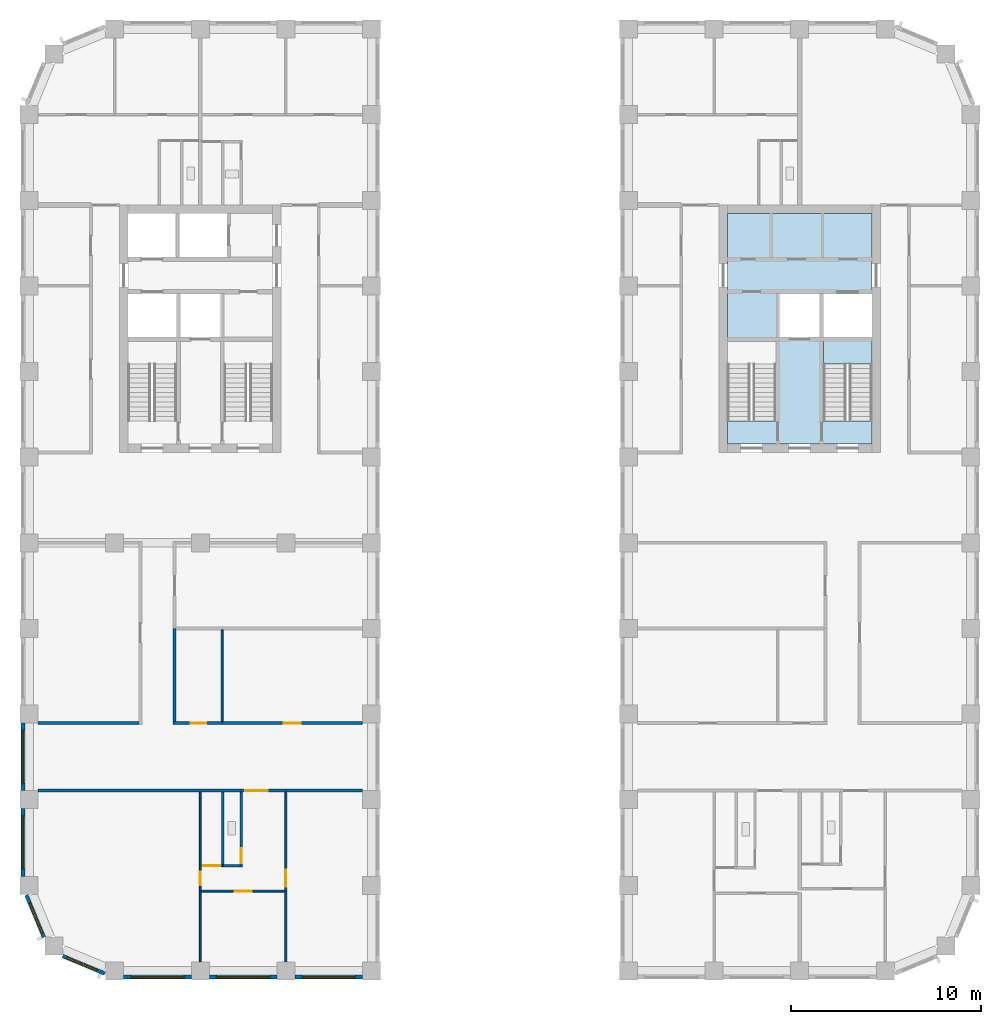
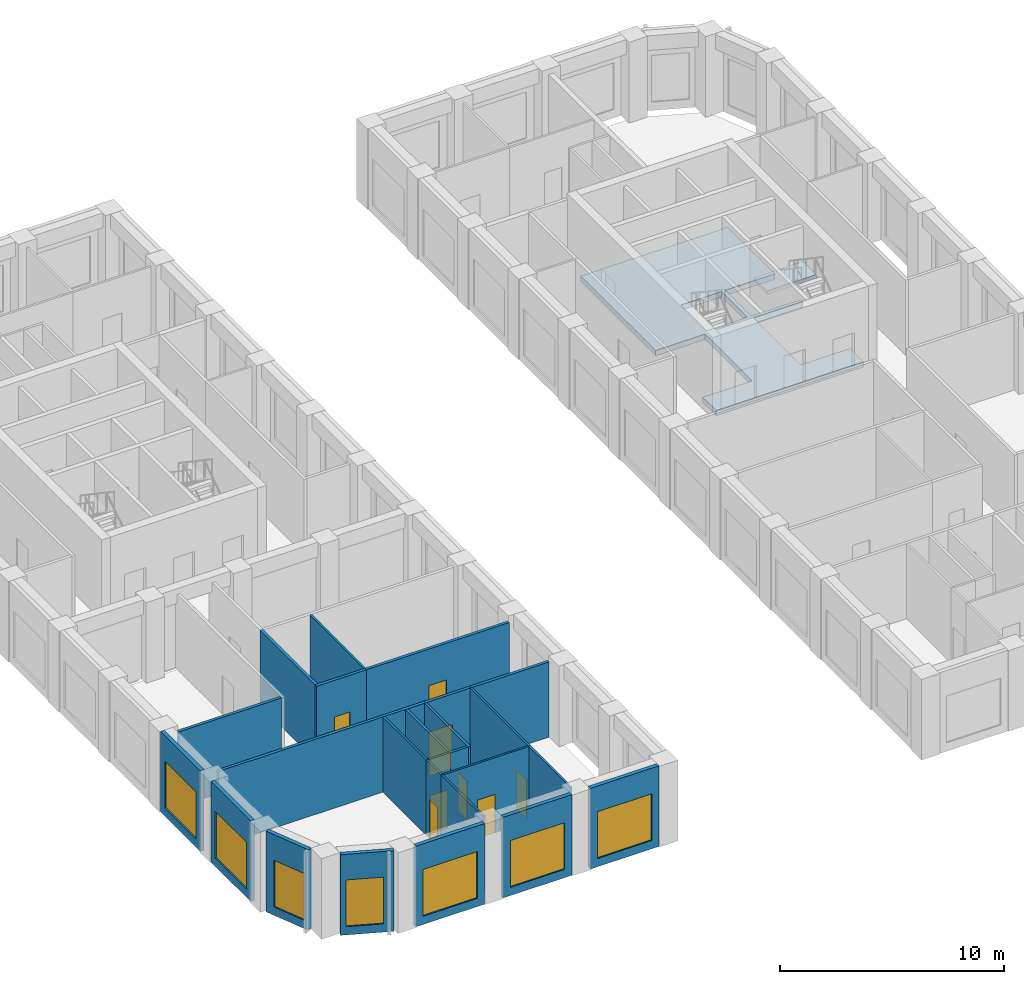
# One storey, part 2 of 13: 25 walls, 8 doors, 7 windows, 2 slabs, 15 openings, 1 element without a shape of its own.
"""IFC4 building model written with IfcOpenShell, lengths in metres."""

from ifc_helpers import new_model, si_unit, direction, frame, frame_2d, origin, place, context, subcontext, project, spatial, polyline, rectangle, outline, extrude, material, layer, layer_set, type_object, element, fill, aggregate, save


model = new_model("IFC4")

# Units and contexts
model_context = context("Model", 3, precision=1e-05, world=origin(), true_north=direction((0.0, 1.0)))
body_context = subcontext(model_context, "Body", "Model", "MODEL_VIEW")
ifc_project = project(units=[si_unit("LENGTHUNIT", "METRE"), si_unit("AREAUNIT", "SQUARE_METRE"), si_unit("VOLUMEUNIT", "CUBIC_METRE"), si_unit("PLANEANGLEUNIT", "RADIAN"), si_unit("MASSUNIT", "GRAM", prefix="KILO")], contexts=[model_context])

# Site, building, storey
site_placement = place(None, origin())
site = spatial("IfcSite", under=ifc_project, at=site_placement, CompositionType="ELEMENT")
building_placement = place(site_placement, origin())
building = spatial("IfcBuilding", under=site, at=building_placement, Name="Girih Gate Residences", CompositionType="ELEMENT")
storey_placement = place(building_placement, frame((0.0, 0.0, 159.39990234375)))
storey = spatial("IfcBuildingStorey", under=building, at=storey_placement, Name="L44", CompositionType="ELEMENT", Elevation=159.39990234375)

# Slab
ifc_material_1 = material(Name="Concrete C40/50", Category="concrete")
ifc_layer_1 = layer(ifc_material_1, 0.300048828125)
ifc_layer_set_1 = layer_set([ifc_layer_1], Name="Core floor slab 300")
slab_type_1 = type_object("IfcSlabType", Name="Core floor slab 300", PredefinedType="FLOOR", material=ifc_layer_set_1)
slab_1_placement = place(storey_placement, frame((0.0, 0.0, -0.2998046875)))
element("IfcSlab", 1, at=slab_1_placement, inside=storey, type_object=slab_type_1, Name="L44 E core floor", PredefinedType="FLOOR", context=body_context, shape_type="SweptSolid", body=[
    extrude(outline(polyline([(44.300048828125, 27.699951171875), (36.699951171875, 27.699951171875), (36.699951171875, 28.900634765625), (39.25, 28.900634765625), (39.25, 33.10009765625), (36.699951171875, 33.10009765625), (36.699951171875, 39.800048828125), (44.300048828125, 39.800048828125), (44.300048828125, 35.60009765625), (41.75, 35.60009765625), (41.75, 33.300048828125), (44.300048828125, 33.300048828125), (44.300048828125, 33.10009765625), (41.75, 33.10009765625), (41.75, 28.900634765625), (44.300048828125, 28.900634765625), (44.300048828125, 27.699951171875)]), holes=[polyline([(39.449951171875, 33.300048828125), (41.550048828125, 33.300048828125), (41.550048828125, 35.60009765625), (39.449951171875, 35.60009765625), (39.449951171875, 33.300048828125)])]), origin(), (0.0, 0.0, 1.0), 0.2998046875),
])

# Stair, slab
stair_type = type_object("IfcStairType", Name="Exit stair", PredefinedType="HALF_TURN_STAIR", material=ifc_material_1)
stair_placement = place(storey_placement, origin())
stair = element("IfcStair", 2, at=stair_placement, inside=storey, type_object=stair_type, Name="L44 Exit Stair ST-E1", PredefinedType="HALF_TURN_STAIR")
ifc_layer_2 = layer(ifc_material_1, 0.199951171875)
ifc_layer_set_2 = layer_set([ifc_layer_2], Name="Stair landing 200")
slab_type_2 = type_object("IfcSlabType", Name="Stair landing 200", PredefinedType="LANDING", material=ifc_layer_set_2)
slab_2_placement = place(storey_placement, frame((0.0, 0.0, 2.0)))
slab_2 = element("IfcSlab", 3, at=slab_2_placement, type_object=slab_type_2, Name="ST-E1 landing 1", PredefinedType="LANDING", context=body_context, shape_type="SweptSolid", body=[
    extrude(outline(polyline([(44.300048828125, 31.89990234375), (44.300048828125, 33.10009765625), (41.75, 33.10009765625), (41.75, 31.89990234375), (44.300048828125, 31.89990234375)])), origin(), (0.0, 0.0, 1.0), 0.2001953125),
])
aggregate(stair, [slab_2])

# Wall
ifc_material_2 = material(Name="Gypsum board on steel studs", Category="steel")
ifc_layer_3 = layer(ifc_material_2, 0.14990234375)
ifc_layer_set_3 = layer_set([ifc_layer_3], Name="Compartment wall 150 mm")
wall_type_1 = type_object("IfcWallType", Name="Compartment wall 150 mm", PredefinedType="PARTITIONING", material=ifc_layer_set_3)
wall_1_placement = place(storey_placement, frame((13.5, 9.47509765625, 0.0), z_axis=(0.0, 0.0, 1.0), x_axis=(1.0, 0.0, 0.0)))
element("IfcWall", 4, at=wall_1_placement, inside=storey, type_object=wall_type_1, Name="L44 partition", PredefinedType="PARTITIONING", context=body_context, shape_type="SweptSolid", body=[
    extrude(rectangle(XDim=4.02490234375, YDim=0.14990234375, at=frame_2d((2.012451171875, 0.0))), origin(), (0.0, 0.0, 1.0), 4.10009765625),
])

# Wall, opening, door
wall_2_placement = place(storey_placement, frame((13.5, 9.47509765625, 0.0), z_axis=(0.0, 0.0, 1.0), x_axis=(-1.0, 0.0, 0.0)))
wall_2 = element("IfcWall", 5, at=wall_2_placement, inside=storey, type_object=wall_type_1, Name="L44 partition", PredefinedType="PARTITIONING", context=body_context, shape_type="SweptSolid", body=[
    extrude(rectangle(XDim=2.35009765625, YDim=0.14990234375, at=frame_2d((1.175048828125, 0.0))), origin(), (0.0, 0.0, 1.0), 4.10009765625),
])
opening_1_placement = place(wall_2_placement, frame((0.949951171875, 0.0, 0.0)))
opening_1 = element("IfcOpeningElement", 6, at=opening_1_placement, cuts=wall_2, Name="Opening A44-006", PredefinedType="OPENING", context=body_context, shape_type="SweptSolid", body=[
    extrude(rectangle(XDim=1.199951171875, YDim=2.39990234375, at=frame_2d((0.60009765625, 1.199951171875))), frame((0.0, 0.0849609375, 0.0), z_axis=(0.0, -1.0, 0.0), x_axis=(1.0, 0.0, 0.0)), (0.0, 0.0, 1.0), 0.169921875),
])
ifc_material_3 = material(Name="Timber, fire-rated core", Category="wood")
door_type_1 = type_object("IfcDoorType", Name="Villa entrance door 1200x2400 FD30S", OperationType="NOTDEFINED", PredefinedType="DOOR", material=ifc_material_3)
door_1_placement = place(opening_1_placement, origin())
door_1 = element("IfcDoor", 7, at=door_1_placement, inside=storey, type_object=door_type_1, Name="Door A44-006", OperationType="SINGLE_SWING_RIGHT", OverallHeight=2.39990234375, OverallWidth=1.199951171875, PredefinedType="DOOR", context=body_context, shape_type="SweptSolid", body=[
    extrude(rectangle(XDim=1.199951171875, YDim=2.39990234375, at=frame_2d((0.60009765625, 1.199951171875))), frame((0.0, 0.02490234375, 0.0), z_axis=(0.0, -1.0, 0.0), x_axis=(1.0, 0.0, 0.0)), (0.0, 0.0, 1.0), 0.050048828125),
])
fill(opening_1, door_1)

# Wall
wall_3_placement = place(storey_placement, frame((0.47509765625, 9.47509765625, 0.0), z_axis=(0.0, 0.0, 1.0), x_axis=(1.0, 0.0, 0.0)))
element("IfcWall", 8, at=wall_3_placement, inside=storey, type_object=wall_type_1, Name="L44 partition", PredefinedType="PARTITIONING", context=body_context, shape_type="SweptSolid", body=[
    extrude(rectangle(XDim=10.6748046875, YDim=0.14990234375, at=frame_2d((5.33740234375, 0.0))), origin(), (0.0, 0.0, 1.0), 4.10009765625),
])

# Wall, opening, door
wall_4_placement = place(storey_placement, frame((10.14990234375, 13.02490234375, 0.0), z_axis=(0.0, 0.0, 1.0), x_axis=(1.0, 0.0, 0.0)))
wall_4 = element("IfcWall", 9, at=wall_4_placement, inside=storey, type_object=wall_type_1, Name="L44 partition", PredefinedType="PARTITIONING", context=body_context, shape_type="SweptSolid", body=[
    extrude(rectangle(XDim=7.375, YDim=0.14990234375, at=frame_2d((3.6875, 0.0))), origin(), (0.0, 0.0, 1.0), 4.10009765625),
])
opening_2_placement = place(wall_4_placement, frame((3.237548828125, 0.0, 0.0)))
opening_2 = element("IfcOpeningElement", 10, at=opening_2_placement, cuts=wall_4, Name="Opening A44-036", PredefinedType="OPENING", context=body_context, shape_type="SweptSolid", body=[
    extrude(rectangle(XDim=0.89990234375, YDim=2.10009765625, at=frame_2d((0.449951171875, 1.050048828125))), frame((0.0, 0.0849609375, 0.0), z_axis=(0.0, -1.0, 0.0), x_axis=(1.0, 0.0, 0.0)), (0.0, 0.0, 1.0), 0.169921875),
])
ifc_material_4 = material(Name="Timber", Category="wood")
door_type_2 = type_object("IfcDoorType", Name="Service room door 900x2100", OperationType="NOTDEFINED", PredefinedType="DOOR", material=ifc_material_4)
door_2_placement = place(opening_2_placement, origin())
door_2 = element("IfcDoor", 11, at=door_2_placement, inside=storey, type_object=door_type_2, Name="Door A44-036", OperationType="SINGLE_SWING_LEFT", OverallHeight=2.10009765625, OverallWidth=0.89990234375, PredefinedType="DOOR", context=body_context, shape_type="SweptSolid", body=[
    extrude(rectangle(XDim=0.89990234375, YDim=2.10009765625, at=frame_2d((0.449951171875, 1.050048828125))), frame((0.0, 0.02490234375, 0.0), z_axis=(0.0, -1.0, 0.0), x_axis=(1.0, 0.0, 0.0)), (0.0, 0.0, 1.0), 0.050048828125),
])
fill(opening_2, door_2)

wall_5_placement = place(storey_placement, frame((7.574951171875, 13.02490234375, 0.0), z_axis=(0.0, 0.0, 1.0), x_axis=(1.0, 0.0, 0.0)))
wall_5 = element("IfcWall", 12, at=wall_5_placement, inside=storey, type_object=wall_type_1, Name="L44 partition", PredefinedType="PARTITIONING", context=body_context, shape_type="SweptSolid", body=[
    extrude(rectangle(XDim=2.574951171875, YDim=0.14990234375, at=frame_2d((1.28759765625, 0.0))), origin(), (0.0, 0.0, 1.0), 4.10009765625),
])
opening_3_placement = place(wall_5_placement, frame((0.925048828125, 0.0, 0.0)))
opening_3 = element("IfcOpeningElement", 13, at=opening_3_placement, cuts=wall_5, Name="Opening A44-037", PredefinedType="OPENING", context=body_context, shape_type="SweptSolid", body=[
    extrude(rectangle(XDim=0.800048828125, YDim=2.10009765625, at=frame_2d((0.39990234375, 1.050048828125))), frame((0.0, 0.0849609375, 0.0), z_axis=(0.0, -1.0, 0.0), x_axis=(1.0, 0.0, 0.0)), (0.0, 0.0, 1.0), 0.169921875),
])
door_type_3 = type_object("IfcDoorType", Name="Bathroom door 800x2100", OperationType="NOTDEFINED", PredefinedType="DOOR", material=ifc_material_4)
door_3_placement = place(opening_3_placement, origin())
door_3 = element("IfcDoor", 14, at=door_3_placement, inside=storey, type_object=door_type_3, Name="Door A44-037", OperationType="SINGLE_SWING_RIGHT", OverallHeight=2.10009765625, OverallWidth=0.800048828125, PredefinedType="DOOR", context=body_context, shape_type="SweptSolid", body=[
    extrude(rectangle(XDim=0.800048828125, YDim=2.10009765625, at=frame_2d((0.39990234375, 1.050048828125))), frame((0.0, 0.02490234375, 0.0), z_axis=(0.0, -1.0, 0.0), x_axis=(1.0, 0.0, 0.0)), (0.0, 0.0, 1.0), 0.050048828125),
])
fill(opening_3, door_3)

# Walls
wall_6_placement = place(storey_placement, frame((0.47509765625, 13.02490234375, 0.0), z_axis=(0.0, 0.0, 1.0), x_axis=(1.0, 0.0, 0.0)))
element("IfcWall", 15, at=wall_6_placement, inside=storey, type_object=wall_type_1, Name="L44 partition", PredefinedType="PARTITIONING", context=body_context, shape_type="SweptSolid", body=[
    extrude(rectangle(XDim=5.2998046875, YDim=0.14990234375, at=frame_2d((2.64990234375, 0.0))), origin(), (0.0, 0.0, 1.0), 4.10009765625),
])
wall_7_placement = place(storey_placement, frame((7.64990234375, 13.10009765625, 0.0), z_axis=(0.0, 0.0, 1.0), x_axis=(0.0, 1.0, 0.0)))
element("IfcWall", 16, at=wall_7_placement, inside=storey, type_object=wall_type_1, Name="L44 partition", PredefinedType="PARTITIONING", context=body_context, shape_type="SweptSolid", body=[
    extrude(rectangle(XDim=4.89990234375, YDim=0.14990234375, at=frame_2d((2.449951171875, 0.0))), origin(), (0.0, 0.0, 1.0), 4.10009765625),
])
ifc_layer_4 = layer(ifc_material_2, 0.10009765625)
ifc_layer_set_4 = layer_set([ifc_layer_4], Name="Partition 100 mm")
wall_type_2 = type_object("IfcWallType", Name="Partition 100 mm", PredefinedType="PARTITIONING", material=ifc_layer_set_4)
wall_8_placement = place(storey_placement, frame((13.5, 0.47509765625, 0.0), z_axis=(0.0, 0.0, 1.0), x_axis=(0.0, 1.0, 0.0)))
element("IfcWall", 17, at=wall_8_placement, inside=storey, type_object=wall_type_2, Name="L44 partition", PredefinedType="PARTITIONING", context=body_context, shape_type="SweptSolid", body=[
    extrude(rectangle(XDim=3.719970703125, YDim=0.10009765625, at=frame_2d((1.85986328125, 0.0))), origin(), (0.0, 0.0, 1.0), 4.10009765625),
])

# Wall, opening, door
wall_9_placement = place(storey_placement, frame((13.449951171875, 4.195068359375, 0.0), z_axis=(0.0, 0.0, 1.0), x_axis=(-1.0, 0.0, 0.0)))
wall_9 = element("IfcWall", 18, at=wall_9_placement, inside=storey, type_object=wall_type_2, Name="L44 partition", PredefinedType="PARTITIONING", context=body_context, shape_type="SweptSolid", body=[
    extrude(rectangle(XDim=4.39990234375, YDim=0.10009765625, at=frame_2d((2.199951171875, 0.0))), origin(), (0.0, 0.0, 1.0), 4.10009765625),
])
opening_4_placement = place(wall_9_placement, frame((1.75, 0.0, 0.0)))
opening_4 = element("IfcOpeningElement", 19, at=opening_4_placement, cuts=wall_9, Name="Opening A44-002", PredefinedType="OPENING", context=body_context, shape_type="SweptSolid", body=[
    extrude(rectangle(XDim=0.89990234375, YDim=2.10009765625, at=frame_2d((0.449951171875, 1.050048828125))), frame((0.0, 0.06005859375, 0.0), z_axis=(0.0, -1.0, 0.0), x_axis=(1.0, 0.0, 0.0)), (0.0, 0.0, 1.0), 0.1201171875),
])
door_type_4 = type_object("IfcDoorType", Name="Bedroom door 900x2100", OperationType="NOTDEFINED", PredefinedType="DOOR", material=ifc_material_4)
door_4_placement = place(opening_4_placement, origin())
door_4 = element("IfcDoor", 20, at=door_4_placement, inside=storey, type_object=door_type_4, Name="Door A44-002", OperationType="SINGLE_SWING_RIGHT", OverallHeight=2.10009765625, OverallWidth=0.89990234375, PredefinedType="DOOR", context=body_context, shape_type="SweptSolid", body=[
    extrude(rectangle(XDim=0.89990234375, YDim=2.10009765625, at=frame_2d((0.449951171875, 1.050048828125))), frame((0.0, 0.02490234375, 0.0), z_axis=(0.0, -1.0, 0.0), x_axis=(1.0, 0.0, 0.0)), (0.0, 0.0, 1.0), 0.050048828125),
])
fill(opening_4, door_4)

# Wall
wall_10_placement = place(storey_placement, frame((9.0, 0.47509765625, 0.0), z_axis=(0.0, 0.0, 1.0), x_axis=(0.0, 1.0, 0.0)))
element("IfcWall", 21, at=wall_10_placement, inside=storey, type_object=wall_type_2, Name="L44 partition", PredefinedType="PARTITIONING", context=body_context, shape_type="SweptSolid", body=[
    extrude(rectangle(XDim=3.719970703125, YDim=0.10009765625, at=frame_2d((1.85986328125, 0.0))), origin(), (0.0, 0.0, 1.0), 4.10009765625),
])

# Wall, opening, door
wall_11_placement = place(storey_placement, frame((13.5, 9.39990234375, 0.0), z_axis=(0.0, 0.0, 1.0), x_axis=(0.0, -1.0, 0.0)))
wall_11 = element("IfcWall", 22, at=wall_11_placement, inside=storey, type_object=wall_type_2, Name="L44 partition", PredefinedType="PARTITIONING", context=body_context, shape_type="SweptSolid", body=[
    extrude(rectangle(XDim=5.204833984375, YDim=0.10009765625, at=frame_2d((2.6025390625, 0.0))), origin(), (0.0, 0.0, 1.0), 4.10009765625),
])
opening_5_placement = place(wall_11_placement, frame((4.0849609375, 0.0, 0.0)))
opening_5 = element("IfcOpeningElement", 23, at=opening_5_placement, cuts=wall_11, Name="Opening A44-003", PredefinedType="OPENING", context=body_context, shape_type="SweptSolid", body=[
    extrude(rectangle(XDim=0.89990234375, YDim=2.10009765625, at=frame_2d((0.449951171875, 1.050048828125))), frame((0.0, 0.06005859375, 0.0), z_axis=(0.0, -1.0, 0.0), x_axis=(1.0, 0.0, 0.0)), (0.0, 0.0, 1.0), 0.1201171875),
])
door_5_placement = place(opening_5_placement, origin())
door_5 = element("IfcDoor", 24, at=door_5_placement, inside=storey, type_object=door_type_4, Name="Door A44-003", OperationType="SINGLE_SWING_RIGHT", OverallHeight=2.10009765625, OverallWidth=0.89990234375, PredefinedType="DOOR", context=body_context, shape_type="SweptSolid", body=[
    extrude(rectangle(XDim=0.89990234375, YDim=2.10009765625, at=frame_2d((0.449951171875, 1.050048828125))), frame((0.0, 0.02490234375, 0.0), z_axis=(0.0, -1.0, 0.0), x_axis=(1.0, 0.0, 0.0)), (0.0, 0.0, 1.0), 0.050048828125),
])
fill(opening_5, door_5)

wall_12_placement = place(storey_placement, frame((9.050048828125, 5.534912109375, 0.0), z_axis=(0.0, 0.0, 1.0), x_axis=(1.0, 0.0, 0.0)))
wall_12 = element("IfcWall", 25, at=wall_12_placement, inside=storey, type_object=wall_type_2, Name="L44 partition", PredefinedType="PARTITIONING", context=body_context, shape_type="SweptSolid", body=[
    extrude(rectangle(XDim=1.12255859375, YDim=0.10009765625, at=frame_2d((0.561279296875, 0.0))), origin(), (0.0, 0.0, 1.0), 4.10009765625),
])
opening_6_placement = place(wall_12_placement, frame((0.08642578125, 0.0, 0.0)))
opening_6 = element("IfcOpeningElement", 26, at=opening_6_placement, cuts=wall_12, Name="Opening A44-004", PredefinedType="OPENING", context=body_context, shape_type="SweptSolid", body=[
    extrude(rectangle(XDim=0.89990234375, YDim=2.10009765625, at=frame_2d((0.449951171875, 1.050048828125))), frame((0.0, 0.06005859375, 0.0), z_axis=(0.0, -1.0, 0.0), x_axis=(1.0, 0.0, 0.0)), (0.0, 0.0, 1.0), 0.1201171875),
])
door_type_5 = type_object("IfcDoorType", Name="Kitchen door 900x2100", OperationType="NOTDEFINED", PredefinedType="DOOR", material=ifc_material_4)
door_6_placement = place(opening_6_placement, origin())
door_6 = element("IfcDoor", 27, at=door_6_placement, inside=storey, type_object=door_type_5, Name="Door A44-004", OperationType="SINGLE_SWING_LEFT", OverallHeight=2.10009765625, OverallWidth=0.89990234375, PredefinedType="DOOR", context=body_context, shape_type="SweptSolid", body=[
    extrude(rectangle(XDim=0.89990234375, YDim=2.10009765625, at=frame_2d((0.449951171875, 1.050048828125))), frame((0.0, 0.02490234375, 0.0), z_axis=(0.0, -1.0, 0.0), x_axis=(1.0, 0.0, 0.0)), (0.0, 0.0, 1.0), 0.050048828125),
])
fill(opening_6, door_6)

wall_13_placement = place(storey_placement, frame((9.0, 4.195068359375, 0.0), z_axis=(0.0, 0.0, 1.0), x_axis=(0.0, 1.0, 0.0)))
wall_13 = element("IfcWall", 28, at=wall_13_placement, inside=storey, type_object=wall_type_2, Name="L44 partition", PredefinedType="PARTITIONING", context=body_context, shape_type="SweptSolid", body=[
    extrude(rectangle(XDim=1.33984375, YDim=0.10009765625, at=frame_2d((0.669921875, 0.0))), origin(), (0.0, 0.0, 1.0), 4.10009765625),
])
opening_7_placement = place(wall_13_placement, frame((0.320068359375, 0.0, 0.0)))
opening_7 = element("IfcOpeningElement", 29, at=opening_7_placement, cuts=wall_13, Name="Opening A44-005", PredefinedType="OPENING", context=body_context, shape_type="SweptSolid", body=[
    extrude(rectangle(XDim=0.699951171875, YDim=2.10009765625, at=frame_2d((0.35009765625, 1.050048828125))), frame((0.0, 0.06005859375, 0.0), z_axis=(0.0, -1.0, 0.0), x_axis=(1.0, 0.0, 0.0)), (0.0, 0.0, 1.0), 0.1201171875),
])
door_type_6 = type_object("IfcDoorType", Name="Narrow door 700x2100", OperationType="NOTDEFINED", PredefinedType="DOOR", material=ifc_material_4)
door_7_placement = place(opening_7_placement, origin())
door_7 = element("IfcDoor", 30, at=door_7_placement, inside=storey, type_object=door_type_6, Name="Door A44-005", OperationType="SINGLE_SWING_LEFT", OverallHeight=2.10009765625, OverallWidth=0.699951171875, PredefinedType="DOOR", context=body_context, shape_type="SweptSolid", body=[
    extrude(rectangle(XDim=0.699951171875, YDim=2.10009765625, at=frame_2d((0.35009765625, 1.050048828125))), frame((0.0, 0.02490234375, 0.0), z_axis=(0.0, -1.0, 0.0), x_axis=(1.0, 0.0, 0.0)), (0.0, 0.0, 1.0), 0.050048828125),
])
fill(opening_7, door_7)

# Walls
wall_14_placement = place(storey_placement, frame((9.0, 5.534912109375, 0.0), z_axis=(0.0, 0.0, 1.0), x_axis=(0.0, 1.0, 0.0)))
element("IfcWall", 31, at=wall_14_placement, inside=storey, type_object=wall_type_2, Name="L44 partition", PredefinedType="PARTITIONING", context=body_context, shape_type="SweptSolid", body=[
    extrude(rectangle(XDim=3.864990234375, YDim=0.10009765625, at=frame_2d((1.9326171875, 0.0))), origin(), (0.0, 0.0, 1.0), 4.10009765625),
])
wall_15_placement = place(storey_placement, frame((10.14990234375, 13.10009765625, 0.0), z_axis=(0.0, 0.0, 1.0), x_axis=(0.0, 1.0, 0.0)))
element("IfcWall", 32, at=wall_15_placement, inside=storey, type_object=wall_type_2, Name="L44 partition", PredefinedType="PARTITIONING", context=body_context, shape_type="SweptSolid", body=[
    extrude(rectangle(XDim=4.824951171875, YDim=0.10009765625, at=frame_2d((2.41259765625, 0.0))), origin(), (0.0, 0.0, 1.0), 4.10009765625),
])

# Wall, opening, window
ifc_material_5 = material(Name="Precast concrete C50/60", Category="concrete")
ifc_layer_5 = layer(ifc_material_5, 0.06005859375, Name="Outer leaf")
ifc_material_6 = material(Name="Rigid PIR insulation")
ifc_layer_6 = layer(ifc_material_6, 0.090087890625, Name="Insulation")
ifc_material_7 = material(Name="Precast concrete C40/50", Category="concrete")
ifc_layer_7 = layer(ifc_material_7, 0.050048828125, Name="Inner leaf")
ifc_layer_set_5 = layer_set([ifc_layer_5, ifc_layer_6, ifc_layer_7], Name="Precast concrete C50/60 external wall 200")
wall_type_3 = type_object("IfcWallType", Name="Precast concrete C50/60 external wall 200", PredefinedType="SOLIDWALL", material=ifc_layer_set_5)
wall_16_placement = place(storey_placement, frame((-0.324951171875, 9.47509765625, 0.0), z_axis=(0.0, 0.0, 1.0), x_axis=(0.0, 1.0, 0.0)))
wall_16 = element("IfcWall", 33, at=wall_16_placement, inside=storey, type_object=wall_type_3, Name="External wall W0000_0450.7", PredefinedType="SOLIDWALL", context=body_context, shape_type="SweptSolid", body=[
    extrude(rectangle(XDim=3.5498046875, YDim=0.199951171875, at=frame_2d((1.77490234375, 0.0))), origin(), (0.0, 0.0, 1.0), 4.400146484375),
])
opening_8_placement = place(wall_16_placement, frame((0.375, 0.0, 0.449951171875)))
opening_8 = element("IfcOpeningElement", 34, at=opening_8_placement, cuts=wall_16, Name="Opening W-6A", PredefinedType="OPENING", context=body_context, shape_type="SweptSolid", body=[
    extrude(rectangle(XDim=2.800048828125, YDim=2.550048828125, at=frame_2d((1.39990234375, 1.27490234375))), frame((0.0, 0.10986328125, 0.0), z_axis=(0.0, -1.0, 0.0), x_axis=(1.0, 0.0, 0.0)), (0.0, 0.0, 1.0), 0.219970703125),
])
ifc_material_8 = material(Name="Double glazing in aluminium frame", Category="aluminium")
window_type_1 = type_object("IfcWindowType", Name="Window W-6A 2800x2550", PartitioningType="SINGLE_PANEL", PredefinedType="WINDOW", material=ifc_material_8)
window_1_placement = place(opening_8_placement, origin())
window_1 = element("IfcWindow", 35, at=window_1_placement, inside=storey, type_object=window_type_1, Name="Window W-6A W0000_0450.7", OverallHeight=2.550048828125, OverallWidth=2.800048828125, PartitioningType="SINGLE_PANEL", PredefinedType="WINDOW", context=body_context, shape_type="SweptSolid", body=[
    extrude(rectangle(XDim=2.800048828125, YDim=2.550048828125, at=frame_2d((1.39990234375, 1.27490234375))), frame((0.0, 0.030029296875, 0.0), z_axis=(0.0, -1.0, 0.0), x_axis=(1.0, 0.0, 0.0)), (0.0, 0.0, 1.0), 0.06005859375),
])
fill(opening_8, window_1)

wall_17_placement = place(storey_placement, frame((-0.324951171875, 4.97509765625, 0.0), z_axis=(0.0, 0.0, 1.0), x_axis=(0.0, 1.0, 0.0)))
wall_17 = element("IfcWall", 36, at=wall_17_placement, inside=storey, type_object=wall_type_3, Name="External wall W0000_0450.8", PredefinedType="SOLIDWALL", context=body_context, shape_type="SweptSolid", body=[
    extrude(rectangle(XDim=3.5498046875, YDim=0.199951171875, at=frame_2d((1.77490234375, 0.0))), origin(), (0.0, 0.0, 1.0), 4.400146484375),
])
opening_9_placement = place(wall_17_placement, frame((0.375, 0.0, 0.449951171875)))
opening_9 = element("IfcOpeningElement", 37, at=opening_9_placement, cuts=wall_17, Name="Opening W-6A", PredefinedType="OPENING", context=body_context, shape_type="SweptSolid", body=[
    extrude(rectangle(XDim=2.800048828125, YDim=2.550048828125, at=frame_2d((1.39990234375, 1.27490234375))), frame((0.0, 0.10986328125, 0.0), z_axis=(0.0, -1.0, 0.0), x_axis=(1.0, 0.0, 0.0)), (0.0, 0.0, 1.0), 0.219970703125),
])
window_2_placement = place(opening_9_placement, origin())
window_2 = element("IfcWindow", 38, at=window_2_placement, inside=storey, type_object=window_type_1, Name="Window W-6A W0000_0450.8", OverallHeight=2.550048828125, OverallWidth=2.800048828125, PartitioningType="SINGLE_PANEL", PredefinedType="WINDOW", context=body_context, shape_type="SweptSolid", body=[
    extrude(rectangle(XDim=2.800048828125, YDim=2.550048828125, at=frame_2d((1.39990234375, 1.27490234375))), frame((0.0, 0.030029296875, 0.0), z_axis=(0.0, -1.0, 0.0), x_axis=(1.0, 0.0, 0.0)), (0.0, 0.0, 1.0), 0.06005859375),
])
fill(opening_9, window_2)

wall_18_placement = place(storey_placement, frame((0.7802734375, 1.76708984375, 0.0), z_axis=(0.0, 0.0, 1.0), x_axis=(-0.382680855588, 0.923880599843, 0.0)))
wall_18 = element("IfcWall", 39, at=wall_18_placement, inside=storey, type_object=wall_type_3, Name="External wall SW0000_0045.0", PredefinedType="SOLIDWALL", context=body_context, shape_type="SweptSolid", body=[
    extrude(rectangle(XDim=2.402587890625, YDim=0.199951171875, at=frame_2d((1.201171875, 0.0))), origin(), (0.0, 0.0, 1.0), 4.400146484375),
])
opening_10_placement = place(wall_18_placement, frame((0.25146484375, 0.0, 0.449951171875)))
opening_10 = element("IfcOpeningElement", 40, at=opening_10_placement, cuts=wall_18, Name="Opening W-2F", PredefinedType="OPENING", context=body_context, shape_type="SweptSolid", body=[
    extrude(rectangle(XDim=1.699951171875, YDim=2.550048828125, at=frame_2d((0.85009765625, 1.27490234375))), frame((0.0, 0.10986328125, 0.0), z_axis=(0.0, -1.0, 0.0), x_axis=(1.0, 0.0, 0.0)), (0.0, 0.0, 1.0), 0.219970703125),
])
window_type_2 = type_object("IfcWindowType", Name="Window W-2F 1700x2550", PartitioningType="SINGLE_PANEL", PredefinedType="WINDOW", material=ifc_material_8)
window_3_placement = place(opening_10_placement, origin())
window_3 = element("IfcWindow", 41, at=window_3_placement, inside=storey, type_object=window_type_2, Name="Window W-2F SW0000_0045.0", OverallHeight=2.550048828125, OverallWidth=1.699951171875, PartitioningType="SINGLE_PANEL", PredefinedType="WINDOW", context=body_context, shape_type="SweptSolid", body=[
    extrude(rectangle(XDim=1.699951171875, YDim=2.550048828125, at=frame_2d((0.85009765625, 1.27490234375))), frame((0.0, 0.030029296875, 0.0), z_axis=(0.0, -1.0, 0.0), x_axis=(1.0, 0.0, 0.0)), (0.0, 0.0, 1.0), 0.06005859375),
])
fill(opening_10, window_3)

wall_19_placement = place(storey_placement, frame((3.98681640625, -0.13916015625, 0.0), z_axis=(0.0, 0.0, 1.0), x_axis=(-0.923880599843, 0.382680855588, 0.0)))
wall_19 = element("IfcWall", 42, at=wall_19_placement, inside=storey, type_object=wall_type_3, Name="External wall SW0013_0013.0", PredefinedType="SOLIDWALL", context=body_context, shape_type="SweptSolid", body=[
    extrude(rectangle(XDim=2.402587890625, YDim=0.199951171875, at=frame_2d((1.201171875, 0.0))), origin(), (0.0, 0.0, 1.0), 4.400146484375),
])
opening_11_placement = place(wall_19_placement, frame((0.451171875, 0.0, 0.449951171875)))
opening_11 = element("IfcOpeningElement", 43, at=opening_11_placement, cuts=wall_19, Name="Opening W-2F", PredefinedType="OPENING", context=body_context, shape_type="SweptSolid", body=[
    extrude(rectangle(XDim=1.699951171875, YDim=2.550048828125, at=frame_2d((0.85009765625, 1.27490234375))), frame((0.0, 0.10986328125, 0.0), z_axis=(0.0, -1.0, 0.0), x_axis=(1.0, 0.0, 0.0)), (0.0, 0.0, 1.0), 0.219970703125),
])
window_4_placement = place(opening_11_placement, origin())
window_4 = element("IfcWindow", 44, at=window_4_placement, inside=storey, type_object=window_type_2, Name="Window W-2F SW0013_0013.0", OverallHeight=2.550048828125, OverallWidth=1.699951171875, PartitioningType="SINGLE_PANEL", PredefinedType="WINDOW", context=body_context, shape_type="SweptSolid", body=[
    extrude(rectangle(XDim=1.699951171875, YDim=2.550048828125, at=frame_2d((0.85009765625, 1.27490234375))), frame((0.0, 0.030029296875, 0.0), z_axis=(0.0, -1.0, 0.0), x_axis=(1.0, 0.0, 0.0)), (0.0, 0.0, 1.0), 0.06005859375),
])
fill(opening_11, window_4)

wall_20_placement = place(storey_placement, frame((8.52490234375, -0.324951171875, 0.0), z_axis=(0.0, 0.0, 1.0), x_axis=(-1.0, 0.0, 0.0)))
wall_20 = element("IfcWall", 45, at=wall_20_placement, inside=storey, type_object=wall_type_3, Name="External wall S0045_0000.0", PredefinedType="SOLIDWALL", context=body_context, shape_type="SweptSolid", body=[
    extrude(rectangle(XDim=3.5498046875, YDim=0.199951171875, at=frame_2d((1.77490234375, 0.0))), origin(), (0.0, 0.0, 1.0), 4.400146484375),
])
opening_12_placement = place(wall_20_placement, frame((0.375, 0.0, 0.449951171875)))
opening_12 = element("IfcOpeningElement", 46, at=opening_12_placement, cuts=wall_20, Name="Opening W-6A", PredefinedType="OPENING", context=body_context, shape_type="SweptSolid", body=[
    extrude(rectangle(XDim=2.800048828125, YDim=2.550048828125, at=frame_2d((1.39990234375, 1.27490234375))), frame((0.0, 0.10986328125, 0.0), z_axis=(0.0, -1.0, 0.0), x_axis=(1.0, 0.0, 0.0)), (0.0, 0.0, 1.0), 0.219970703125),
])
window_5_placement = place(opening_12_placement, origin())
window_5 = element("IfcWindow", 47, at=window_5_placement, inside=storey, type_object=window_type_1, Name="Window W-6A S0045_0000.0", OverallHeight=2.550048828125, OverallWidth=2.800048828125, PartitioningType="SINGLE_PANEL", PredefinedType="WINDOW", context=body_context, shape_type="SweptSolid", body=[
    extrude(rectangle(XDim=2.800048828125, YDim=2.550048828125, at=frame_2d((1.39990234375, 1.27490234375))), frame((0.0, 0.030029296875, 0.0), z_axis=(0.0, -1.0, 0.0), x_axis=(1.0, 0.0, 0.0)), (0.0, 0.0, 1.0), 0.06005859375),
])
fill(opening_12, window_5)

wall_21_placement = place(storey_placement, frame((13.02490234375, -0.324951171875, 0.0), z_axis=(0.0, 0.0, 1.0), x_axis=(-1.0, 0.0, 0.0)))
wall_21 = element("IfcWall", 48, at=wall_21_placement, inside=storey, type_object=wall_type_3, Name="External wall S0045_0000.1", PredefinedType="SOLIDWALL", context=body_context, shape_type="SweptSolid", body=[
    extrude(rectangle(XDim=3.5498046875, YDim=0.199951171875, at=frame_2d((1.77490234375, 0.0))), origin(), (0.0, 0.0, 1.0), 4.400146484375),
])
opening_13_placement = place(wall_21_placement, frame((0.375, 0.0, 0.449951171875)))
opening_13 = element("IfcOpeningElement", 49, at=opening_13_placement, cuts=wall_21, Name="Opening W-6A", PredefinedType="OPENING", context=body_context, shape_type="SweptSolid", body=[
    extrude(rectangle(XDim=2.800048828125, YDim=2.550048828125, at=frame_2d((1.39990234375, 1.27490234375))), frame((0.0, 0.10986328125, 0.0), z_axis=(0.0, -1.0, 0.0), x_axis=(1.0, 0.0, 0.0)), (0.0, 0.0, 1.0), 0.219970703125),
])
window_6_placement = place(opening_13_placement, origin())
window_6 = element("IfcWindow", 50, at=window_6_placement, inside=storey, type_object=window_type_1, Name="Window W-6A S0045_0000.1", OverallHeight=2.550048828125, OverallWidth=2.800048828125, PartitioningType="SINGLE_PANEL", PredefinedType="WINDOW", context=body_context, shape_type="SweptSolid", body=[
    extrude(rectangle(XDim=2.800048828125, YDim=2.550048828125, at=frame_2d((1.39990234375, 1.27490234375))), frame((0.0, 0.030029296875, 0.0), z_axis=(0.0, -1.0, 0.0), x_axis=(1.0, 0.0, 0.0)), (0.0, 0.0, 1.0), 0.06005859375),
])
fill(opening_13, window_6)

wall_22_placement = place(storey_placement, frame((17.52490234375, -0.324951171875, 0.0), z_axis=(0.0, 0.0, 1.0), x_axis=(-1.0, 0.0, 0.0)))
wall_22 = element("IfcWall", 51, at=wall_22_placement, inside=storey, type_object=wall_type_3, Name="External wall S0045_0000.2", PredefinedType="SOLIDWALL", context=body_context, shape_type="SweptSolid", body=[
    extrude(rectangle(XDim=3.5498046875, YDim=0.199951171875, at=frame_2d((1.77490234375, 0.0))), origin(), (0.0, 0.0, 1.0), 4.400146484375),
])
opening_14_placement = place(wall_22_placement, frame((0.375, 0.0, 0.449951171875)))
opening_14 = element("IfcOpeningElement", 52, at=opening_14_placement, cuts=wall_22, Name="Opening W-6A", PredefinedType="OPENING", context=body_context, shape_type="SweptSolid", body=[
    extrude(rectangle(XDim=2.800048828125, YDim=2.550048828125, at=frame_2d((1.39990234375, 1.27490234375))), frame((0.0, 0.10986328125, 0.0), z_axis=(0.0, -1.0, 0.0), x_axis=(1.0, 0.0, 0.0)), (0.0, 0.0, 1.0), 0.219970703125),
])
window_7_placement = place(opening_14_placement, origin())
window_7 = element("IfcWindow", 53, at=window_7_placement, inside=storey, type_object=window_type_1, Name="Window W-6A S0045_0000.2", OverallHeight=2.550048828125, OverallWidth=2.800048828125, PartitioningType="SINGLE_PANEL", PredefinedType="WINDOW", context=body_context, shape_type="SweptSolid", body=[
    extrude(rectangle(XDim=2.800048828125, YDim=2.550048828125, at=frame_2d((1.39990234375, 1.27490234375))), frame((0.0, 0.030029296875, 0.0), z_axis=(0.0, -1.0, 0.0), x_axis=(1.0, 0.0, 0.0)), (0.0, 0.0, 1.0), 0.06005859375),
])
fill(opening_14, window_7)

# Wall, opening, door
ifc_layer_8 = layer(ifc_material_2, 0.125)
ifc_layer_set_6 = layer_set([ifc_layer_8], Name="Wet room wall 125 mm")
wall_type_4 = type_object("IfcWallType", Name="Wet room wall 125 mm", PredefinedType="PARTITIONING", material=ifc_layer_set_6)
wall_23_placement = place(storey_placement, frame((11.14990234375, 5.472412109375, 0.0), z_axis=(0.0, 0.0, 1.0), x_axis=(0.0, 1.0, 0.0)))
wall_23 = element("IfcWall", 54, at=wall_23_placement, inside=storey, type_object=wall_type_4, Name="L44 partition", PredefinedType="PARTITIONING", context=body_context, shape_type="SweptSolid", body=[
    extrude(rectangle(XDim=3.927490234375, YDim=0.125, at=frame_2d((1.9638671875, 0.0))), origin(), (0.0, 0.0, 1.0), 4.10009765625),
])
opening_15_placement = place(wall_23_placement, frame((0.1826171875, 0.0, 0.0)))
opening_15 = element("IfcOpeningElement", 55, at=opening_15_placement, cuts=wall_23, Name="Opening A44-001", PredefinedType="OPENING", context=body_context, shape_type="SweptSolid", body=[
    extrude(rectangle(XDim=0.800048828125, YDim=2.10009765625, at=frame_2d((0.39990234375, 1.050048828125))), frame((0.0, 0.072509765625, 0.0), z_axis=(0.0, -1.0, 0.0), x_axis=(1.0, 0.0, 0.0)), (0.0, 0.0, 1.0), 0.14501953125),
])
door_8_placement = place(opening_15_placement, origin())
door_8 = element("IfcDoor", 56, at=door_8_placement, inside=storey, type_object=door_type_3, Name="Door A44-001", OperationType="SINGLE_SWING_LEFT", OverallHeight=2.10009765625, OverallWidth=0.800048828125, PredefinedType="DOOR", context=body_context, shape_type="SweptSolid", body=[
    extrude(rectangle(XDim=0.800048828125, YDim=2.10009765625, at=frame_2d((0.39990234375, 1.050048828125))), frame((0.0, 0.02490234375, 0.0), z_axis=(0.0, -1.0, 0.0), x_axis=(1.0, 0.0, 0.0)), (0.0, 0.0, 1.0), 0.050048828125),
])
fill(opening_15, door_8)

# Walls
wall_24_placement = place(storey_placement, frame((10.172607421875, 5.534912109375, 0.0), z_axis=(0.0, 0.0, 1.0), x_axis=(1.0, 0.0, 0.0)))
element("IfcWall", 57, at=wall_24_placement, inside=storey, type_object=wall_type_4, Name="L44 partition", PredefinedType="PARTITIONING", context=body_context, shape_type="SweptSolid", body=[
    extrude(rectangle(XDim=0.914794921875, YDim=0.125, at=frame_2d((0.45751953125, 0.0))), origin(), (0.0, 0.0, 1.0), 4.10009765625),
])
wall_25_placement = place(storey_placement, frame((10.173095703125, 5.597412109375, 0.0), z_axis=(0.0, 0.0, 1.0), x_axis=(0.0, 1.0, 0.0)))
element("IfcWall", 58, at=wall_25_placement, inside=storey, type_object=wall_type_4, Name="L44 partition", PredefinedType="PARTITIONING", context=body_context, shape_type="SweptSolid", body=[
    extrude(rectangle(XDim=3.802490234375, YDim=0.125, at=frame_2d((1.9013671875, 0.0))), origin(), (0.0, 0.0, 1.0), 4.10009765625),
])

save(model, "model.ifc")
